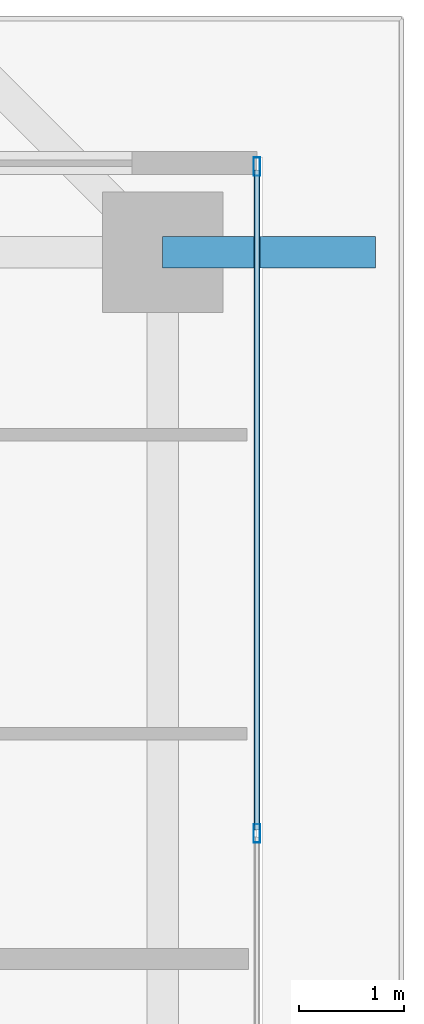
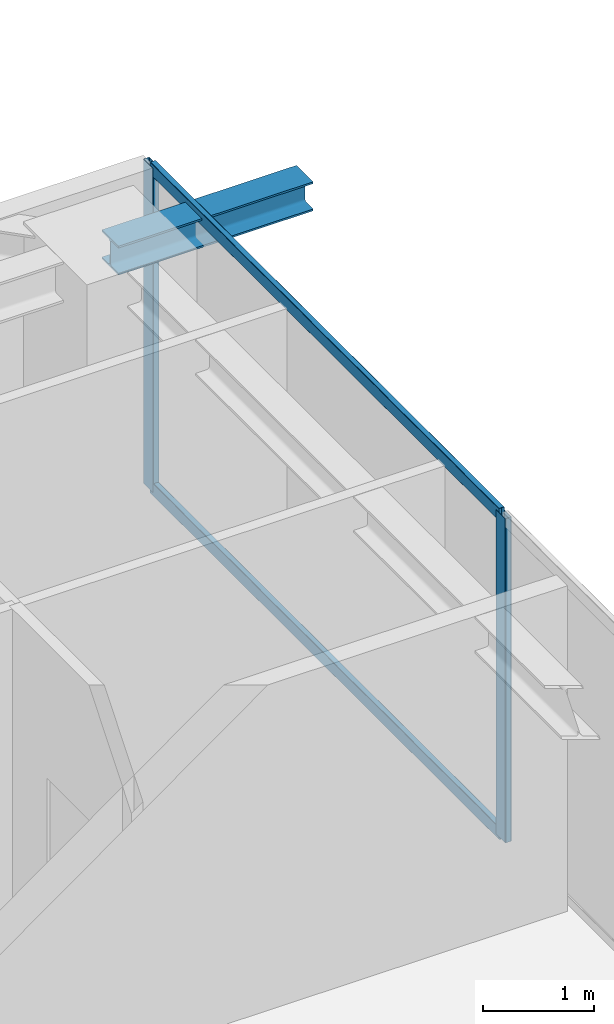
# One storey, part 24 of 39: 4 members, 1 beam, 1 element without a shape of its own.
"""IFC4 building model written with IfcOpenShell, lengths in metres."""

import ifcopenshell
import ifcopenshell.guid

model = None  # the IFC model being written
_history = None  # IfcOwnerHistory: only IFC2X3 demands one
_inside = {}  # id of a spatial element -> (the spatial element, [elements in it])
_under = {}  # id of a project, library or spatial element -> (it, [spatial elements below it])
_declared = {}  # id of a project -> (the project, [libraries it declares])
_typed = {}  # id of a type object -> (the type object, [elements of that type])
_made_of = {}  # id of a material, layer set ... -> (it, [elements and type objects made of it])


def new_model(schema):
    """Start an empty IFC model of exactly this schema.

    Asked for "IFC4X3", IfcOpenShell would pick the latest addendum, in which some entities
    have other attributes; the version numbers below select the first issue.
    IFC2X3 requires an IfcOwnerHistory on every rooted entity: one is made here for all.
    """
    global model, _history
    if schema == "IFC4X3":
        model = ifcopenshell.file(schema_version=(4, 3, 0, 0))
    else:
        model = ifcopenshell.file(schema=schema)
    _inside.clear()
    _under.clear()
    _declared.clear()
    _typed.clear()
    _made_of.clear()
    _history = None
    if model.schema == "IFC2X3":
        org = make("IfcOrganization", Name="unknown")
        user = make(
            "IfcPersonAndOrganization",
            ThePerson=make("IfcPerson", FamilyName="unknown"),
            TheOrganization=org,
        )
        app = make(
            "IfcApplication",
            ApplicationDeveloper=org,
            Version="unknown",
            ApplicationFullName="unknown",
            ApplicationIdentifier="unknown",
        )
        _history = make(
            "IfcOwnerHistory",
            OwningUser=user,
            OwningApplication=app,
            ChangeAction="ADDED",
            CreationDate=0,
        )
    return model


def make(cls, **values):
    """One entity of the class cls with the attributes given. An attribute that is None is left unset."""
    return model.create_entity(
        cls, **{name: value for name, value in values.items() if value is not None}
    )


def rooted(cls, **values):
    """An entity with a GlobalId (a new one), such as an element, a storey or a relation."""
    return make(cls, GlobalId=ifcopenshell.guid.new(), OwnerHistory=_history, **values)


def si_unit(unit_type, name, prefix=None):
    """IfcSIUnit, for example si_unit("LENGTHUNIT", "METRE", prefix="MILLI")."""
    return make("IfcSIUnit", UnitType=unit_type, Prefix=prefix, Name=name)


def assignment(units):
    """IfcUnitAssignment: the units of a project."""
    return None if units is None else make("IfcUnitAssignment", Units=units)


def point(xyz):
    """IfcCartesianPoint."""
    return None if xyz is None else make("IfcCartesianPoint", Coordinates=xyz)


def direction(xyz):
    """IfcDirection."""
    return None if xyz is None else make("IfcDirection", DirectionRatios=xyz)


def frame(location, z_axis=None, x_axis=None):
    """IfcAxis2Placement3D, a coordinate frame: its origin and axes. An axis left out is left unset."""
    return make(
        "IfcAxis2Placement3D",
        Location=point(location),
        Axis=direction(z_axis),
        RefDirection=direction(x_axis),
    )


def frame_2d(location, x_axis=None):
    """IfcAxis2Placement2D, a coordinate frame in the plane: its origin and x axis."""
    return make(
        "IfcAxis2Placement2D", Location=point(location), RefDirection=direction(x_axis)
    )


def origin():
    """The frame at (0, 0, 0) with its axes left unset."""
    return frame((0.0, 0.0, 0.0))


def origin_2d():
    """The frame at (0, 0) in the plane with its x axis left unset."""
    return frame_2d((0.0, 0.0))


def place(relative_to, where):
    """IfcLocalPlacement: puts the frame where relative to a parent placement (None: the world)."""
    return make(
        "IfcLocalPlacement", PlacementRelTo=relative_to, RelativePlacement=where
    )


def context(
    kind, dimensions, precision=None, world=None, true_north=None, identifier=None
):
    """IfcGeometricRepresentationContext, for example the 3D "Model" context."""
    return make(
        "IfcGeometricRepresentationContext",
        ContextIdentifier=identifier,
        ContextType=kind,
        CoordinateSpaceDimension=dimensions,
        Precision=precision,
        WorldCoordinateSystem=world,
        TrueNorth=true_north,
    )


def subcontext(parent, identifier, kind, view, scale=None):
    """IfcGeometricRepresentationSubContext, for example "Body" below "Model"."""
    return make(
        "IfcGeometricRepresentationSubContext",
        ContextIdentifier=identifier,
        ContextType=kind,
        ParentContext=parent,
        TargetScale=scale,
        TargetView=view,
    )


def project(units=None, contexts=None):
    """IfcProject with its units and contexts."""
    return rooted(
        "IfcProject",
        Name="project",
        RepresentationContexts=contexts,
        UnitsInContext=assignment(units),
    )


def spatial(cls, under=None, at=None, **own):
    """A site, building, storey or space (cls), placed at a placement, below another one or the project."""
    s = rooted(cls, ObjectPlacement=at, **own)
    if under is not None:
        _under.setdefault(under.id(), (under, []))[1].append(s)
    return s


def profile(cls, at=None, kind="AREA", **sizes):
    """A parametric profile (cls). Its sizes go by their IFC names, for example OverallWidth=200.0."""
    return make(cls, ProfileType=kind, Position=at, **sizes)


def hollow_rectangle(**sizes):
    """IfcRectangleHollowProfileDef."""
    return profile("IfcRectangleHollowProfileDef", **sizes)


def i_section(**sizes):
    """IfcIShapeProfileDef."""
    return profile("IfcIShapeProfileDef", **sizes)


def extrude(swept, where, along, depth):
    """IfcExtrudedAreaSolid: the profile swept, set in the frame where, extruded along a direction by depth."""
    return make(
        "IfcExtrudedAreaSolid",
        SweptArea=swept,
        Position=where,
        ExtrudedDirection=direction(along),
        Depth=depth,
    )


def shape(context_of_items, identifier, shape_type, items):
    """IfcShapeRepresentation: the items that make up one representation, for example the "Body"."""
    return make(
        "IfcShapeRepresentation",
        ContextOfItems=context_of_items,
        RepresentationIdentifier=identifier,
        RepresentationType=shape_type,
        Items=items,
    )


def source(mapping_origin, context_of_items, identifier, shape_type, items):
    """IfcRepresentationMap: a shape defined once, which mapped items show again and again."""
    return make(
        "IfcRepresentationMap",
        MappingOrigin=mapping_origin,
        MappedRepresentation=shape(context_of_items, identifier, shape_type, items),
    )


def transform(
    local_origin,
    x_axis=None,
    y_axis=None,
    z_axis=None,
    scale=None,
    scale2=None,
    scale3=None,
    uniform=True,
):
    """IfcCartesianTransformationOperator3D, or its non-uniform kind. x_axis, y_axis, z_axis: its Axis1, 2, 3."""
    if uniform:
        return make(
            "IfcCartesianTransformationOperator3D",
            Axis1=direction(x_axis),
            Axis2=direction(y_axis),
            LocalOrigin=point(local_origin),
            Scale=scale,
            Axis3=direction(z_axis),
        )
    return make(
        "IfcCartesianTransformationOperator3DnonUniform",
        Axis1=direction(x_axis),
        Axis2=direction(y_axis),
        LocalOrigin=point(local_origin),
        Scale=scale,
        Axis3=direction(z_axis),
        Scale2=scale2,
        Scale3=scale3,
    )


def mapped(mapping_source, mapping_target):
    """IfcMappedItem: shows the shape of a source again, moved by a transform."""
    return make(
        "IfcMappedItem", MappingSource=mapping_source, MappingTarget=mapping_target
    )


def material(Name=None, Category=None):
    """IfcMaterial."""
    return make("IfcMaterial", Name=Name, Category=Category)


def layer(
    of_material, thickness, ventilated=None, Name=None, Category=None, Priority=None
):
    """IfcMaterialLayer: one layer of a wall or slab, of a material (None: an air gap)."""
    return make(
        "IfcMaterialLayer",
        Material=of_material,
        LayerThickness=thickness,
        IsVentilated=ventilated,
        Name=Name,
        Category=Category,
        Priority=Priority,
    )


def layer_set(layers, Name=None):
    """IfcMaterialLayerSet."""
    return make("IfcMaterialLayerSet", MaterialLayers=layers, LayerSetName=Name)


def material_profile(
    of_material, cross_section, Name=None, Category=None, Priority=None
):
    """IfcMaterialProfile: a cross section and its material."""
    return make(
        "IfcMaterialProfile",
        Name=Name,
        Material=of_material,
        Profile=cross_section,
        Priority=Priority,
        Category=Category,
    )


def profile_set(profiles, Name=None, composite=None):
    """IfcMaterialProfileSet."""
    return make(
        "IfcMaterialProfileSet",
        Name=Name,
        MaterialProfiles=profiles,
        CompositeProfile=composite,
    )


def made_of(thing, what):
    """Note that an element or type object is made of a material, layer set ...; save() writes the relation."""
    if what is not None:
        _made_of.setdefault(what.id(), (what, []))[1].append(thing)
    return thing


def type_object(cls, material=None, **own):
    """A type object (cls), such as IfcWallType, which elements share."""
    return made_of(rooted(cls, **own), material)


def element(
    cls,
    number,
    at=None,
    inside=None,
    cuts=None,
    type_object=None,
    material=None,
    context=None,
    identifier="Body",
    shape_type=None,
    held_by="IfcProductDefinitionShape",
    body=None,
    shapes=None,
    **own,
):
    """One element of the class cls, such as IfcWall. Its Tag is "e" and its number.

    at: its placement. inside: the storey or other place that contains it. cuts: it is an
    opening in that element (IfcRelVoidsElement). A single representation is given by context,
    identifier, shape_type and body (its items); several are given by shapes. held_by: the class
    of the entity that holds the representations. save() writes the other relations.
    """
    e = rooted(cls, Tag="e%d" % number, ObjectPlacement=at, **own)
    if body is not None:
        shapes = [shape(context, identifier, shape_type, body)]
    if shapes is not None:
        e.Representation = make(held_by, Representations=shapes)
    if inside is not None:
        _inside.setdefault(inside.id(), (inside, []))[1].append(e)
    if cuts is not None:
        rooted(
            "IfcRelVoidsElement", RelatingBuildingElement=cuts, RelatedOpeningElement=e
        )
    if type_object is not None:
        _typed.setdefault(type_object.id(), (type_object, []))[1].append(e)
    return made_of(e, material)


def aggregate(whole, parts):
    """IfcRelAggregates: a whole, such as a stair, and the parts it consists of."""
    return rooted("IfcRelAggregates", RelatingObject=whole, RelatedObjects=parts)


def save(model, path):
    """Write the relations noted so far, then the file.

    IfcRelAggregates (storeys below a building ...), IfcRelContainedInSpatialStructure (elements
    in a storey), IfcRelDefinesByType, IfcRelAssociatesMaterial and IfcRelDeclares: one each for
    every whole, place, type object, material and project.
    """
    for whole, parts in _under.values():
        aggregate(whole, parts)
    for where, things in _inside.values():
        rooted(
            "IfcRelContainedInSpatialStructure",
            RelatedElements=things,
            RelatingStructure=where,
        )
    for kind, things in _typed.values():
        rooted("IfcRelDefinesByType", RelatedObjects=things, RelatingType=kind)
    for what, things in _made_of.values():
        rooted("IfcRelAssociatesMaterial", RelatedObjects=things, RelatingMaterial=what)
    for by, libraries in _declared.values():
        rooted("IfcRelDeclares", RelatingContext=by, RelatedDefinitions=libraries)
    model.write(path)


model = new_model("IFC4")

# Units and contexts
model_context = context("Model", 3, precision=1e-05, world=origin(), true_north=direction((0.0, 1.0)))
body_context = subcontext(model_context, "Body", "Model", "MODEL_VIEW")
ifc_project = project(units=[si_unit("LENGTHUNIT", "METRE"), si_unit("AREAUNIT", "SQUARE_METRE"), si_unit("VOLUMEUNIT", "CUBIC_METRE"), si_unit("PLANEANGLEUNIT", "RADIAN"), si_unit("MASSUNIT", "GRAM", prefix="KILO")], contexts=[model_context])

# Site, building, storey
site_placement = place(None, origin())
site = spatial("IfcSite", under=ifc_project, at=site_placement, CompositionType="ELEMENT")
building_placement = place(site_placement, origin())
building = spatial("IfcBuilding", under=site, at=building_placement, Name="Serunith Strait Residences", CompositionType="ELEMENT")
storey_placement = place(building_placement, frame((0.0, 0.0, 222.0)))
storey = spatial("IfcBuildingStorey", under=building, at=storey_placement, Name="L55", CompositionType="ELEMENT", Elevation=222.0)

# Beam
ifc_material_1 = material(Name="Steel S355J2", Category="steel")
ifc_material_profile_1 = material_profile(ifc_material_1, i_section(OverallWidth=0.300048828125, OverallDepth=0.320068359375, WebThickness=0.011474609375, FlangeThickness=0.0205078125, FilletRadius=0.027099609375, at=origin_2d()), Name="HEB 320")
ifc_profile_set_1 = profile_set([ifc_material_profile_1], Name="Steel S355J2")
beam_type = type_object("IfcBeamType", Name="BM-HEB320", PredefinedType="BEAM", material=ifc_profile_set_1)
shared_shape_1 = source(origin(), body_context, "Body", "SweptSolid", [
    extrude(i_section(OverallWidth=0.300048828125, OverallDepth=0.320068359375, WebThickness=0.011474609375, FlangeThickness=0.0205078125, FilletRadius=0.027099609375, at=origin_2d()), origin(), (0.0, 0.0, 1.0), 2.030029296875),
])
beam_placement = place(storey_placement, frame((56.5, 40.35009765625, 3.39697265625), z_axis=(1.0, 0.0, 0.0), x_axis=(0.0, 1.0, 0.0)))
element("IfcBeam", 1, at=beam_placement, inside=storey, type_object=beam_type, Name="L56 Cantilevered Balcony Rib TC-E4", PredefinedType="BEAM", context=body_context, shape_type="MappedRepresentation", body=[
    mapped(shared_shape_1, transform((0.0, 0.0, 0.0), scale=1.0)),
])

# Curtain wall, members
ifc_material_2 = material(Name="Pale-Champagne Anodised Aluminium", Category="aluminium")
ifc_layer = layer(ifc_material_2, 0.199951171875, Name="Pale-Champagne Anodised Aluminium")
ifc_layer_set = layer_set([ifc_layer], Name="Pale-Champagne Anodised Aluminium")
curtain_wall_type = type_object("IfcCurtainWallType", Name="CW-SYS4", PredefinedType="NOTDEFINED", material=ifc_layer_set)
curtain_wall_placement = place(storey_placement, origin())
curtain_wall = element("IfcCurtainWall", 2, at=curtain_wall_placement, inside=storey, type_object=curtain_wall_type, Name="L55 E Unitised Fritted Curtain Wall", PredefinedType="NOTDEFINED")
ifc_material_profile_2 = material_profile(ifc_material_2, hollow_rectangle(XDim=0.06494140625, YDim=0.179931640625, WallThickness=0.00341796875, InnerFilletRadius=0.00537109375, OuterFilletRadius=0.0087890625, at=origin_2d()), Name="ALU 180x65x3.5")
ifc_profile_set_2 = profile_set([ifc_material_profile_2], Name="Pale-Champagne Anodised Aluminium")
member_type_1 = type_object("IfcMemberType", Name="CW-SYS4-MULL", PredefinedType="MULLION", material=ifc_profile_set_2)
shared_shape_2 = source(origin(), body_context, "Body", "SweptSolid", [
    extrude(hollow_rectangle(XDim=0.06494140625, YDim=0.179931640625, WallThickness=0.00341796875, InnerFilletRadius=0.00537109375, OuterFilletRadius=0.0087890625, at=origin_2d()), origin(), (0.0, 0.0, 1.0), 3.574951171875),
])
member_1_placement = place(storey_placement, frame((57.39990234375, 34.800048828125, 0.0), z_axis=(0.0, 0.0, 1.0), x_axis=(-1.0, 0.0, 0.0)))
member_1 = element("IfcMember", 3, at=member_1_placement, type_object=member_type_1, Name="CW-4 mullion 5", PredefinedType="MULLION", context=body_context, shape_type="MappedRepresentation", body=[
    mapped(shared_shape_2, transform((0.0, 0.0, 0.0), scale=1.0)),
])
member_2_placement = place(storey_placement, frame((57.39990234375, 41.16748046875, 0.0), z_axis=(0.0, 0.0, 1.0), x_axis=(-1.0, 0.0, 0.0)))
member_2 = element("IfcMember", 4, at=member_2_placement, type_object=member_type_1, Name="CW-4 mullion 6", PredefinedType="MULLION", context=body_context, shape_type="MappedRepresentation", body=[
    mapped(shared_shape_2, transform((0.0, 0.0, 0.0), scale=1.0)),
])
ifc_material_profile_3 = material_profile(ifc_material_2, hollow_rectangle(XDim=0.06005859375, YDim=0.139892578125, WallThickness=0.00341796875, InnerFilletRadius=0.00537109375, OuterFilletRadius=0.0087890625, at=origin_2d()), Name="ALU 140x60x3.5")
ifc_profile_set_3 = profile_set([ifc_material_profile_3], Name="Pale-Champagne Anodised Aluminium")
member_type_2 = type_object("IfcMemberType", Name="CW-SYS4-TRAN", PredefinedType="USERDEFINED", material=ifc_profile_set_3)
shared_shape_3 = source(origin(), body_context, "Body", "SweptSolid", [
    extrude(hollow_rectangle(XDim=0.06005859375, YDim=0.139892578125, WallThickness=0.00341796875, InnerFilletRadius=0.00537109375, OuterFilletRadius=0.0087890625, at=origin_2d()), origin(), (0.0, 0.0, 1.0), 6.302490234375),
])
member_3_placement = place(storey_placement, frame((57.39990234375, 34.83251953125, 0.030029296875), z_axis=(0.0, 1.0, 0.0), x_axis=(-1.0, 0.0, 0.0)))
member_3 = element("IfcMember", 5, at=member_3_placement, type_object=member_type_2, Name="CW-4 transom 5.1", ObjectType="TRANSOM", PredefinedType="USERDEFINED", context=body_context, shape_type="MappedRepresentation", body=[
    mapped(shared_shape_3, transform((0.0, 0.0, 0.0), scale=1.0)),
])
member_4_placement = place(storey_placement, frame((57.39990234375, 34.83251953125, 3.544921875), z_axis=(0.0, 1.0, 0.0), x_axis=(-1.0, 0.0, 0.0)))
member_4 = element("IfcMember", 6, at=member_4_placement, type_object=member_type_2, Name="CW-4 transom 5.2", ObjectType="TRANSOM", PredefinedType="USERDEFINED", context=body_context, shape_type="MappedRepresentation", body=[
    mapped(shared_shape_3, transform((0.0, 0.0, 0.0), scale=1.0)),
])
aggregate(curtain_wall, [member_1, member_2, member_3, member_4])

save(model, "model.ifc")
